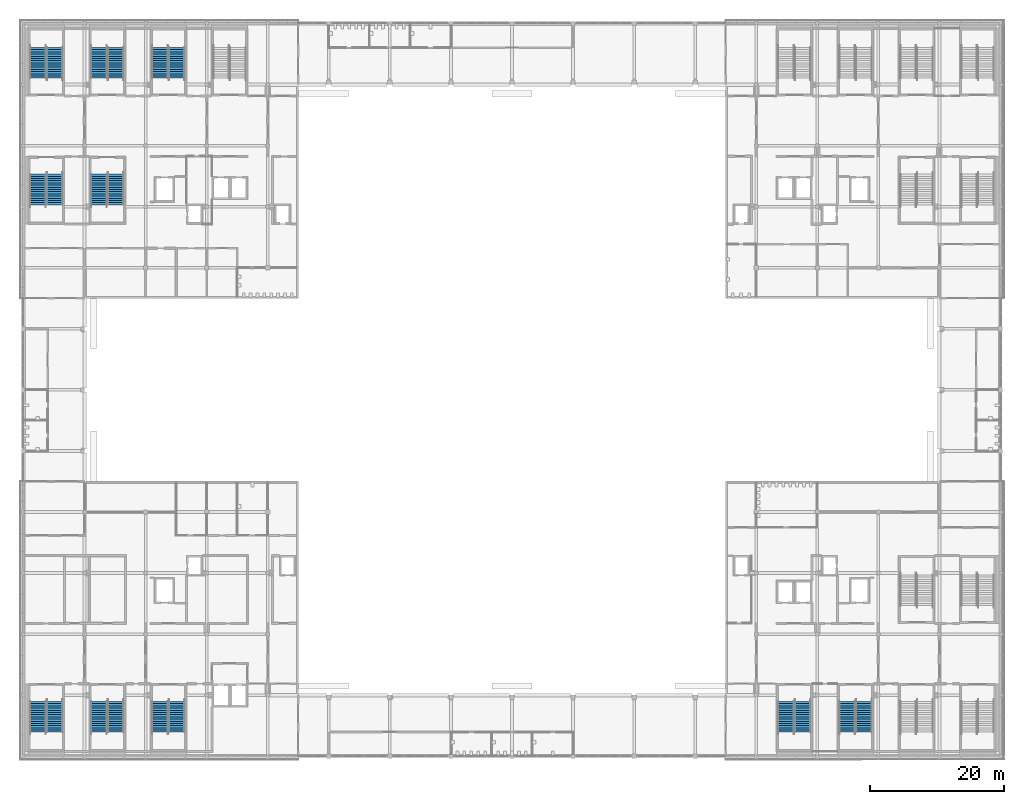
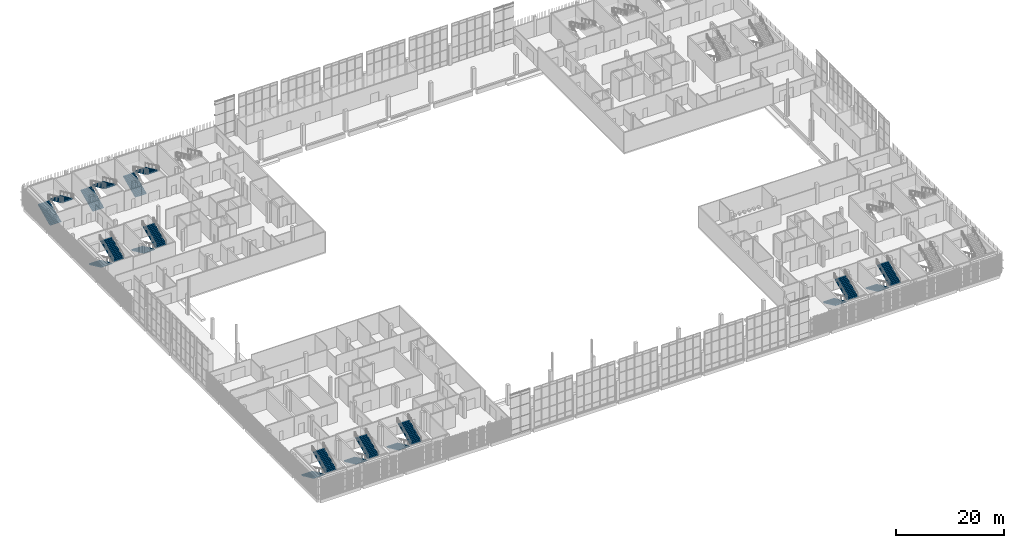
# One storey, part 57 of 91: 20 stair flights, 10 elements without a shape of their own.
"""IFC4 building model written with IfcOpenShell, lengths in metres."""

from ifc_helpers import new_model, si_unit, direction, frame, origin, place, context, subcontext, project, spatial, polyline, outline, extrude, material, type_object, element, aggregate, save


model = new_model("IFC4")

# Units and contexts
model_context = context("Model", 3, precision=1e-05, world=origin(), true_north=direction((0.0, 1.0)))
body_context = subcontext(model_context, "Body", "Model", "MODEL_VIEW")
ifc_project = project(units=[si_unit("LENGTHUNIT", "METRE"), si_unit("AREAUNIT", "SQUARE_METRE"), si_unit("VOLUMEUNIT", "CUBIC_METRE"), si_unit("PLANEANGLEUNIT", "RADIAN"), si_unit("MASSUNIT", "GRAM", prefix="KILO")], contexts=[model_context])

# Site, building, storey
site_placement = place(None, origin())
site = spatial("IfcSite", under=ifc_project, at=site_placement, CompositionType="ELEMENT")
building_placement = place(site_placement, origin())
building = spatial("IfcBuilding", under=site, at=building_placement, Name="Shirokan Park Arena", CompositionType="ELEMENT")
storey_placement = place(building_placement, frame((0.0, 0.0, 24.570068359375)))
storey = spatial("IfcBuildingStorey", under=building, at=storey_placement, Name="L05", CompositionType="ELEMENT", Elevation=24.570068359375)

# Stair, stair flights
ifc_material = material(Name="Concrete C30 precast", Category="concrete")
stair_type = type_object("IfcStairType", Name="Stair 30 risers 152 x 327 2400 wide", PredefinedType="TWO_STRAIGHT_RUN_STAIR", material=ifc_material)
stair_1_placement = place(storey_placement, origin())
stair_1 = element("IfcStair", 1, at=stair_1_placement, inside=storey, type_object=stair_type, Name="Exit Stair 1.A L05 to L06", PredefinedType="TWO_STRAIGHT_RUN_STAIR")
stair_flight_type = type_object("IfcStairFlightType", Name="Stair flight 15 risers 152 x 327 2400 wide", PredefinedType="STRAIGHT", material=ifc_material)
stair_flight_1_placement = place(storey_placement, frame((2.14990234375, 8.14990234375, 0.0), z_axis=(0.0, 0.0, 1.0), x_axis=(0.0, -1.0, 0.0)))
stair_flight_1 = element("IfcStairFlight", 2, at=stair_flight_1_placement, type_object=stair_flight_type, Name="ST01.6 flight 1", NumberOfRisers=15, NumberOfTreads=14, PredefinedType="STRAIGHT", RiserHeight=0.151666667, TreadLength=0.3267, context=body_context, shape_type="SweptSolid", body=[
    extrude(outline(polyline([(0.0, 0.0), (0.0, 0.151611328125), (0.32666015625, 0.151611328125), (0.32666015625, 0.30322265625), (0.6533203125, 0.30322265625), (0.6533203125, 0.455078125), (0.97998046875, 0.455078125), (0.97998046875, 0.606689453125), (1.306884765625, 0.606689453125), (1.306884765625, 0.75830078125), (1.633544921875, 0.75830078125), (1.633544921875, 0.909912109375), (1.960205078125, 0.909912109375), (1.960205078125, 1.061767578125), (2.286865234375, 1.061767578125), (2.286865234375, 1.21337890625), (2.613525390625, 1.21337890625), (2.613525390625, 1.364990234375), (2.940185546875, 1.364990234375), (2.940185546875, 1.5166015625), (3.26708984375, 1.5166015625), (3.26708984375, 1.668212890625), (3.59375, 1.668212890625), (3.59375, 1.820068359375), (3.92041015625, 1.820068359375), (3.92041015625, 1.9716796875), (4.2470703125, 1.9716796875), (4.2470703125, 2.123291015625), (4.57373046875, 2.123291015625), (4.57373046875, 2.27490234375), (4.57373046875, 1.9580078125), (0.35595703125, 0.0), (0.0, 0.0)])), frame((0.0, 1.199951171875, 0.0), z_axis=(0.0, -1.0, 0.0), x_axis=(1.0, 0.0, 0.0)), (0.0, 0.0, 1.0), 2.39990234375),
])
stair_flight_2_placement = place(storey_placement, frame((4.64990234375, 3.576171875, 2.27490234375), z_axis=(0.0, 0.0, 1.0), x_axis=(0.0, 1.0, 0.0)))
stair_flight_2 = element("IfcStairFlight", 3, at=stair_flight_2_placement, type_object=stair_flight_type, Name="ST01.6 flight 2", NumberOfRisers=15, NumberOfTreads=14, PredefinedType="STRAIGHT", RiserHeight=0.151666667, TreadLength=0.3267, context=body_context, shape_type="SweptSolid", body=[
    extrude(outline(polyline([(0.0, 0.0), (0.0, 0.151611328125), (0.32666015625, 0.151611328125), (0.32666015625, 0.30322265625), (0.6533203125, 0.30322265625), (0.6533203125, 0.455078125), (0.97998046875, 0.455078125), (0.97998046875, 0.606689453125), (1.306884765625, 0.606689453125), (1.306884765625, 0.75830078125), (1.633544921875, 0.75830078125), (1.633544921875, 0.909912109375), (1.960205078125, 0.909912109375), (1.960205078125, 1.061767578125), (2.286865234375, 1.061767578125), (2.286865234375, 1.21337890625), (2.613525390625, 1.21337890625), (2.613525390625, 1.364990234375), (2.940185546875, 1.364990234375), (2.940185546875, 1.5166015625), (3.26708984375, 1.5166015625), (3.26708984375, 1.668212890625), (3.59375, 1.668212890625), (3.59375, 1.820068359375), (3.92041015625, 1.820068359375), (3.92041015625, 1.9716796875), (4.2470703125, 1.9716796875), (4.2470703125, 2.123291015625), (4.57373046875, 2.123291015625), (4.57373046875, 2.27490234375), (4.57373046875, 1.9580078125), (0.35595703125, 0.0), (0.0, 0.0)])), frame((0.0, 1.199951171875, 0.0), z_axis=(0.0, -1.0, 0.0), x_axis=(1.0, 0.0, 0.0)), (0.0, 0.0, 1.0), 2.39990234375),
])
aggregate(stair_1, [stair_flight_1, stair_flight_2])

stair_2_placement = place(storey_placement, origin())
stair_2 = element("IfcStair", 4, at=stair_2_placement, inside=storey, type_object=stair_type, Name="Exit Stair 1.B L05 to L06", PredefinedType="TWO_STRAIGHT_RUN_STAIR")
stair_flight_3_placement = place(storey_placement, frame((11.25, 8.14990234375, 0.0), z_axis=(0.0, 0.0, 1.0), x_axis=(0.0, -1.0, 0.0)))
stair_flight_3 = element("IfcStairFlight", 5, at=stair_flight_3_placement, type_object=stair_flight_type, Name="ST02.6 flight 1", NumberOfRisers=15, NumberOfTreads=14, PredefinedType="STRAIGHT", RiserHeight=0.151666667, TreadLength=0.3267, context=body_context, shape_type="SweptSolid", body=[
    extrude(outline(polyline([(0.0, 0.0), (0.0, 0.151611328125), (0.32666015625, 0.151611328125), (0.32666015625, 0.30322265625), (0.6533203125, 0.30322265625), (0.6533203125, 0.455078125), (0.97998046875, 0.455078125), (0.97998046875, 0.606689453125), (1.306884765625, 0.606689453125), (1.306884765625, 0.75830078125), (1.633544921875, 0.75830078125), (1.633544921875, 0.909912109375), (1.960205078125, 0.909912109375), (1.960205078125, 1.061767578125), (2.286865234375, 1.061767578125), (2.286865234375, 1.21337890625), (2.613525390625, 1.21337890625), (2.613525390625, 1.364990234375), (2.940185546875, 1.364990234375), (2.940185546875, 1.5166015625), (3.26708984375, 1.5166015625), (3.26708984375, 1.668212890625), (3.59375, 1.668212890625), (3.59375, 1.820068359375), (3.92041015625, 1.820068359375), (3.92041015625, 1.9716796875), (4.2470703125, 1.9716796875), (4.2470703125, 2.123291015625), (4.57373046875, 2.123291015625), (4.57373046875, 2.27490234375), (4.57373046875, 1.9580078125), (0.35595703125, 0.0), (0.0, 0.0)])), frame((0.0, 1.199951171875, 0.0), z_axis=(0.0, -1.0, 0.0), x_axis=(1.0, 0.0, 0.0)), (0.0, 0.0, 1.0), 2.39990234375),
])
stair_flight_4_placement = place(storey_placement, frame((13.75, 3.576171875, 2.27490234375), z_axis=(0.0, 0.0, 1.0), x_axis=(0.0, 1.0, 0.0)))
stair_flight_4 = element("IfcStairFlight", 6, at=stair_flight_4_placement, type_object=stair_flight_type, Name="ST02.6 flight 2", NumberOfRisers=15, NumberOfTreads=14, PredefinedType="STRAIGHT", RiserHeight=0.151666667, TreadLength=0.3267, context=body_context, shape_type="SweptSolid", body=[
    extrude(outline(polyline([(0.0, 0.0), (0.0, 0.151611328125), (0.32666015625, 0.151611328125), (0.32666015625, 0.30322265625), (0.6533203125, 0.30322265625), (0.6533203125, 0.455078125), (0.97998046875, 0.455078125), (0.97998046875, 0.606689453125), (1.306884765625, 0.606689453125), (1.306884765625, 0.75830078125), (1.633544921875, 0.75830078125), (1.633544921875, 0.909912109375), (1.960205078125, 0.909912109375), (1.960205078125, 1.061767578125), (2.286865234375, 1.061767578125), (2.286865234375, 1.21337890625), (2.613525390625, 1.21337890625), (2.613525390625, 1.364990234375), (2.940185546875, 1.364990234375), (2.940185546875, 1.5166015625), (3.26708984375, 1.5166015625), (3.26708984375, 1.668212890625), (3.59375, 1.668212890625), (3.59375, 1.820068359375), (3.92041015625, 1.820068359375), (3.92041015625, 1.9716796875), (4.2470703125, 1.9716796875), (4.2470703125, 2.123291015625), (4.57373046875, 2.123291015625), (4.57373046875, 2.27490234375), (4.57373046875, 1.9580078125), (0.35595703125, 0.0), (0.0, 0.0)])), frame((0.0, 1.199951171875, 0.0), z_axis=(0.0, -1.0, 0.0), x_axis=(1.0, 0.0, 0.0)), (0.0, 0.0, 1.0), 2.39990234375),
])
aggregate(stair_2, [stair_flight_3, stair_flight_4])

stair_3_placement = place(storey_placement, origin())
stair_3 = element("IfcStair", 7, at=stair_3_placement, inside=storey, type_object=stair_type, Name="Exit Stair 1.C L05 to L06", PredefinedType="TWO_STRAIGHT_RUN_STAIR")
stair_flight_5_placement = place(storey_placement, frame((20.35009765625, 8.14990234375, 0.0), z_axis=(0.0, 0.0, 1.0), x_axis=(0.0, -1.0, 0.0)))
stair_flight_5 = element("IfcStairFlight", 8, at=stair_flight_5_placement, type_object=stair_flight_type, Name="ST03.6 flight 1", NumberOfRisers=15, NumberOfTreads=14, PredefinedType="STRAIGHT", RiserHeight=0.151666667, TreadLength=0.3267, context=body_context, shape_type="SweptSolid", body=[
    extrude(outline(polyline([(0.0, 0.0), (0.0, 0.151611328125), (0.32666015625, 0.151611328125), (0.32666015625, 0.30322265625), (0.6533203125, 0.30322265625), (0.6533203125, 0.455078125), (0.97998046875, 0.455078125), (0.97998046875, 0.606689453125), (1.306884765625, 0.606689453125), (1.306884765625, 0.75830078125), (1.633544921875, 0.75830078125), (1.633544921875, 0.909912109375), (1.960205078125, 0.909912109375), (1.960205078125, 1.061767578125), (2.286865234375, 1.061767578125), (2.286865234375, 1.21337890625), (2.613525390625, 1.21337890625), (2.613525390625, 1.364990234375), (2.940185546875, 1.364990234375), (2.940185546875, 1.5166015625), (3.26708984375, 1.5166015625), (3.26708984375, 1.668212890625), (3.59375, 1.668212890625), (3.59375, 1.820068359375), (3.92041015625, 1.820068359375), (3.92041015625, 1.9716796875), (4.2470703125, 1.9716796875), (4.2470703125, 2.123291015625), (4.57373046875, 2.123291015625), (4.57373046875, 2.27490234375), (4.57373046875, 1.9580078125), (0.35595703125, 0.0), (0.0, 0.0)])), frame((0.0, 1.199951171875, 0.0), z_axis=(0.0, -1.0, 0.0), x_axis=(1.0, 0.0, 0.0)), (0.0, 0.0, 1.0), 2.39990234375),
])
stair_flight_6_placement = place(storey_placement, frame((22.85009765625, 3.576171875, 2.27490234375), z_axis=(0.0, 0.0, 1.0), x_axis=(0.0, 1.0, 0.0)))
stair_flight_6 = element("IfcStairFlight", 9, at=stair_flight_6_placement, type_object=stair_flight_type, Name="ST03.6 flight 2", NumberOfRisers=15, NumberOfTreads=14, PredefinedType="STRAIGHT", RiserHeight=0.151666667, TreadLength=0.3267, context=body_context, shape_type="SweptSolid", body=[
    extrude(outline(polyline([(0.0, 0.0), (0.0, 0.151611328125), (0.32666015625, 0.151611328125), (0.32666015625, 0.30322265625), (0.6533203125, 0.30322265625), (0.6533203125, 0.455078125), (0.97998046875, 0.455078125), (0.97998046875, 0.606689453125), (1.306884765625, 0.606689453125), (1.306884765625, 0.75830078125), (1.633544921875, 0.75830078125), (1.633544921875, 0.909912109375), (1.960205078125, 0.909912109375), (1.960205078125, 1.061767578125), (2.286865234375, 1.061767578125), (2.286865234375, 1.21337890625), (2.613525390625, 1.21337890625), (2.613525390625, 1.364990234375), (2.940185546875, 1.364990234375), (2.940185546875, 1.5166015625), (3.26708984375, 1.5166015625), (3.26708984375, 1.668212890625), (3.59375, 1.668212890625), (3.59375, 1.820068359375), (3.92041015625, 1.820068359375), (3.92041015625, 1.9716796875), (4.2470703125, 1.9716796875), (4.2470703125, 2.123291015625), (4.57373046875, 2.123291015625), (4.57373046875, 2.27490234375), (4.57373046875, 1.9580078125), (0.35595703125, 0.0), (0.0, 0.0)])), frame((0.0, 1.199951171875, 0.0), z_axis=(0.0, -1.0, 0.0), x_axis=(1.0, 0.0, 0.0)), (0.0, 0.0, 1.0), 2.39990234375),
])
aggregate(stair_3, [stair_flight_5, stair_flight_6])

stair_4_placement = place(storey_placement, origin())
stair_4 = element("IfcStair", 10, at=stair_4_placement, inside=storey, type_object=stair_type, Name="Exit Stair 2.C L05 to L06", PredefinedType="TWO_STRAIGHT_RUN_STAIR")
stair_flight_7_placement = place(storey_placement, frame((122.75, 8.14990234375, 0.0), z_axis=(0.0, 0.0, 1.0), x_axis=(0.0, -1.0, 0.0)))
stair_flight_7 = element("IfcStairFlight", 11, at=stair_flight_7_placement, type_object=stair_flight_type, Name="ST06.6 flight 1", NumberOfRisers=15, NumberOfTreads=14, PredefinedType="STRAIGHT", RiserHeight=0.151666667, TreadLength=0.3267, context=body_context, shape_type="SweptSolid", body=[
    extrude(outline(polyline([(0.0, 0.0), (0.0, 0.151611328125), (0.32666015625, 0.151611328125), (0.32666015625, 0.30322265625), (0.6533203125, 0.30322265625), (0.6533203125, 0.455078125), (0.97998046875, 0.455078125), (0.97998046875, 0.606689453125), (1.306884765625, 0.606689453125), (1.306884765625, 0.75830078125), (1.633544921875, 0.75830078125), (1.633544921875, 0.909912109375), (1.960205078125, 0.909912109375), (1.960205078125, 1.061767578125), (2.286865234375, 1.061767578125), (2.286865234375, 1.21337890625), (2.613525390625, 1.21337890625), (2.613525390625, 1.364990234375), (2.940185546875, 1.364990234375), (2.940185546875, 1.5166015625), (3.26708984375, 1.5166015625), (3.26708984375, 1.668212890625), (3.59375, 1.668212890625), (3.59375, 1.820068359375), (3.92041015625, 1.820068359375), (3.92041015625, 1.9716796875), (4.2470703125, 1.9716796875), (4.2470703125, 2.123291015625), (4.57373046875, 2.123291015625), (4.57373046875, 2.27490234375), (4.57373046875, 1.9580078125), (0.35595703125, 0.0), (0.0, 0.0)])), frame((0.0, 1.199951171875, 0.0), z_axis=(0.0, -1.0, 0.0), x_axis=(1.0, 0.0, 0.0)), (0.0, 0.0, 1.0), 2.39990234375),
])
stair_flight_8_placement = place(storey_placement, frame((125.25, 3.576171875, 2.27490234375), z_axis=(0.0, 0.0, 1.0), x_axis=(0.0, 1.0, 0.0)))
stair_flight_8 = element("IfcStairFlight", 12, at=stair_flight_8_placement, type_object=stair_flight_type, Name="ST06.6 flight 2", NumberOfRisers=15, NumberOfTreads=14, PredefinedType="STRAIGHT", RiserHeight=0.151666667, TreadLength=0.3267, context=body_context, shape_type="SweptSolid", body=[
    extrude(outline(polyline([(0.0, 0.0), (0.0, 0.151611328125), (0.32666015625, 0.151611328125), (0.32666015625, 0.30322265625), (0.6533203125, 0.30322265625), (0.6533203125, 0.455078125), (0.97998046875, 0.455078125), (0.97998046875, 0.606689453125), (1.306884765625, 0.606689453125), (1.306884765625, 0.75830078125), (1.633544921875, 0.75830078125), (1.633544921875, 0.909912109375), (1.960205078125, 0.909912109375), (1.960205078125, 1.061767578125), (2.286865234375, 1.061767578125), (2.286865234375, 1.21337890625), (2.613525390625, 1.21337890625), (2.613525390625, 1.364990234375), (2.940185546875, 1.364990234375), (2.940185546875, 1.5166015625), (3.26708984375, 1.5166015625), (3.26708984375, 1.668212890625), (3.59375, 1.668212890625), (3.59375, 1.820068359375), (3.92041015625, 1.820068359375), (3.92041015625, 1.9716796875), (4.2470703125, 1.9716796875), (4.2470703125, 2.123291015625), (4.57373046875, 2.123291015625), (4.57373046875, 2.27490234375), (4.57373046875, 1.9580078125), (0.35595703125, 0.0), (0.0, 0.0)])), frame((0.0, 1.199951171875, 0.0), z_axis=(0.0, -1.0, 0.0), x_axis=(1.0, 0.0, 0.0)), (0.0, 0.0, 1.0), 2.39990234375),
])
aggregate(stair_4, [stair_flight_7, stair_flight_8])

stair_5_placement = place(storey_placement, origin())
stair_5 = element("IfcStair", 13, at=stair_5_placement, inside=storey, type_object=stair_type, Name="Exit Stair 2.D L05 to L06", PredefinedType="TWO_STRAIGHT_RUN_STAIR")
stair_flight_9_placement = place(storey_placement, frame((113.64990234375, 8.14990234375, 0.0), z_axis=(0.0, 0.0, 1.0), x_axis=(0.0, -1.0, 0.0)))
stair_flight_9 = element("IfcStairFlight", 14, at=stair_flight_9_placement, type_object=stair_flight_type, Name="ST07.6 flight 1", NumberOfRisers=15, NumberOfTreads=14, PredefinedType="STRAIGHT", RiserHeight=0.151666667, TreadLength=0.3267, context=body_context, shape_type="SweptSolid", body=[
    extrude(outline(polyline([(0.0, 0.0), (0.0, 0.151611328125), (0.32666015625, 0.151611328125), (0.32666015625, 0.30322265625), (0.6533203125, 0.30322265625), (0.6533203125, 0.455078125), (0.97998046875, 0.455078125), (0.97998046875, 0.606689453125), (1.306884765625, 0.606689453125), (1.306884765625, 0.75830078125), (1.633544921875, 0.75830078125), (1.633544921875, 0.909912109375), (1.960205078125, 0.909912109375), (1.960205078125, 1.061767578125), (2.286865234375, 1.061767578125), (2.286865234375, 1.21337890625), (2.613525390625, 1.21337890625), (2.613525390625, 1.364990234375), (2.940185546875, 1.364990234375), (2.940185546875, 1.5166015625), (3.26708984375, 1.5166015625), (3.26708984375, 1.668212890625), (3.59375, 1.668212890625), (3.59375, 1.820068359375), (3.92041015625, 1.820068359375), (3.92041015625, 1.9716796875), (4.2470703125, 1.9716796875), (4.2470703125, 2.123291015625), (4.57373046875, 2.123291015625), (4.57373046875, 2.27490234375), (4.57373046875, 1.9580078125), (0.35595703125, 0.0), (0.0, 0.0)])), frame((0.0, 1.199951171875, 0.0), z_axis=(0.0, -1.0, 0.0), x_axis=(1.0, 0.0, 0.0)), (0.0, 0.0, 1.0), 2.39990234375),
])
stair_flight_10_placement = place(storey_placement, frame((116.14990234375, 3.576171875, 2.27490234375), z_axis=(0.0, 0.0, 1.0), x_axis=(0.0, 1.0, 0.0)))
stair_flight_10 = element("IfcStairFlight", 15, at=stair_flight_10_placement, type_object=stair_flight_type, Name="ST07.6 flight 2", NumberOfRisers=15, NumberOfTreads=14, PredefinedType="STRAIGHT", RiserHeight=0.151666667, TreadLength=0.3267, context=body_context, shape_type="SweptSolid", body=[
    extrude(outline(polyline([(0.0, 0.0), (0.0, 0.151611328125), (0.32666015625, 0.151611328125), (0.32666015625, 0.30322265625), (0.6533203125, 0.30322265625), (0.6533203125, 0.455078125), (0.97998046875, 0.455078125), (0.97998046875, 0.606689453125), (1.306884765625, 0.606689453125), (1.306884765625, 0.75830078125), (1.633544921875, 0.75830078125), (1.633544921875, 0.909912109375), (1.960205078125, 0.909912109375), (1.960205078125, 1.061767578125), (2.286865234375, 1.061767578125), (2.286865234375, 1.21337890625), (2.613525390625, 1.21337890625), (2.613525390625, 1.364990234375), (2.940185546875, 1.364990234375), (2.940185546875, 1.5166015625), (3.26708984375, 1.5166015625), (3.26708984375, 1.668212890625), (3.59375, 1.668212890625), (3.59375, 1.820068359375), (3.92041015625, 1.820068359375), (3.92041015625, 1.9716796875), (4.2470703125, 1.9716796875), (4.2470703125, 2.123291015625), (4.57373046875, 2.123291015625), (4.57373046875, 2.27490234375), (4.57373046875, 1.9580078125), (0.35595703125, 0.0), (0.0, 0.0)])), frame((0.0, 1.199951171875, 0.0), z_axis=(0.0, -1.0, 0.0), x_axis=(1.0, 0.0, 0.0)), (0.0, 0.0, 1.0), 2.39990234375),
])
aggregate(stair_5, [stair_flight_9, stair_flight_10])

stair_6_placement = place(storey_placement, origin())
stair_6 = element("IfcStair", 16, at=stair_6_placement, inside=storey, type_object=stair_type, Name="Exit Stair 4.A L05 to L06", PredefinedType="TWO_STRAIGHT_RUN_STAIR")
stair_flight_11_placement = place(storey_placement, frame((2.14990234375, 101.050048828125, 0.0), z_axis=(0.0, 0.0, 1.0), x_axis=(0.0, 1.0, 0.0)))
stair_flight_11 = element("IfcStairFlight", 17, at=stair_flight_11_placement, type_object=stair_flight_type, Name="ST10.6 flight 1", NumberOfRisers=15, NumberOfTreads=14, PredefinedType="STRAIGHT", RiserHeight=0.151666667, TreadLength=0.3267, context=body_context, shape_type="SweptSolid", body=[
    extrude(outline(polyline([(0.0, 0.0), (0.0, 0.151611328125), (0.32666015625, 0.151611328125), (0.32666015625, 0.30322265625), (0.6533203125, 0.30322265625), (0.6533203125, 0.455078125), (0.97998046875, 0.455078125), (0.97998046875, 0.606689453125), (1.306884765625, 0.606689453125), (1.306884765625, 0.75830078125), (1.633544921875, 0.75830078125), (1.633544921875, 0.909912109375), (1.960205078125, 0.909912109375), (1.960205078125, 1.061767578125), (2.286865234375, 1.061767578125), (2.286865234375, 1.21337890625), (2.613525390625, 1.21337890625), (2.613525390625, 1.364990234375), (2.940185546875, 1.364990234375), (2.940185546875, 1.5166015625), (3.26708984375, 1.5166015625), (3.26708984375, 1.668212890625), (3.59375, 1.668212890625), (3.59375, 1.820068359375), (3.92041015625, 1.820068359375), (3.92041015625, 1.9716796875), (4.2470703125, 1.9716796875), (4.2470703125, 2.123291015625), (4.57373046875, 2.123291015625), (4.57373046875, 2.27490234375), (4.57373046875, 1.9580078125), (0.35595703125, 0.0), (0.0, 0.0)])), frame((0.0, 1.199951171875, 0.0), z_axis=(0.0, -1.0, 0.0), x_axis=(1.0, 0.0, 0.0)), (0.0, 0.0, 1.0), 2.39990234375),
])
stair_flight_12_placement = place(storey_placement, frame((4.64990234375, 105.623779296875, 2.27490234375), z_axis=(0.0, 0.0, 1.0), x_axis=(0.0, -1.0, 0.0)))
stair_flight_12 = element("IfcStairFlight", 18, at=stair_flight_12_placement, type_object=stair_flight_type, Name="ST10.6 flight 2", NumberOfRisers=15, NumberOfTreads=14, PredefinedType="STRAIGHT", RiserHeight=0.151666667, TreadLength=0.3267, context=body_context, shape_type="SweptSolid", body=[
    extrude(outline(polyline([(0.0, 0.0), (0.0, 0.151611328125), (0.32666015625, 0.151611328125), (0.32666015625, 0.30322265625), (0.6533203125, 0.30322265625), (0.6533203125, 0.455078125), (0.97998046875, 0.455078125), (0.97998046875, 0.606689453125), (1.306884765625, 0.606689453125), (1.306884765625, 0.75830078125), (1.633544921875, 0.75830078125), (1.633544921875, 0.909912109375), (1.960205078125, 0.909912109375), (1.960205078125, 1.061767578125), (2.286865234375, 1.061767578125), (2.286865234375, 1.21337890625), (2.613525390625, 1.21337890625), (2.613525390625, 1.364990234375), (2.940185546875, 1.364990234375), (2.940185546875, 1.5166015625), (3.26708984375, 1.5166015625), (3.26708984375, 1.668212890625), (3.59375, 1.668212890625), (3.59375, 1.820068359375), (3.92041015625, 1.820068359375), (3.92041015625, 1.9716796875), (4.2470703125, 1.9716796875), (4.2470703125, 2.123291015625), (4.57373046875, 2.123291015625), (4.57373046875, 2.27490234375), (4.57373046875, 1.9580078125), (0.35595703125, 0.0), (0.0, 0.0)])), frame((0.0, 1.199951171875, 0.0), z_axis=(0.0, -1.0, 0.0), x_axis=(1.0, 0.0, 0.0)), (0.0, 0.0, 1.0), 2.39990234375),
])
aggregate(stair_6, [stair_flight_11, stair_flight_12])

stair_7_placement = place(storey_placement, origin())
stair_7 = element("IfcStair", 19, at=stair_7_placement, inside=storey, type_object=stair_type, Name="Exit Stair 4.B L05 to L06", PredefinedType="TWO_STRAIGHT_RUN_STAIR")
stair_flight_13_placement = place(storey_placement, frame((11.25, 101.050048828125, 0.0), z_axis=(0.0, 0.0, 1.0), x_axis=(0.0, 1.0, 0.0)))
stair_flight_13 = element("IfcStairFlight", 20, at=stair_flight_13_placement, type_object=stair_flight_type, Name="ST11.6 flight 1", NumberOfRisers=15, NumberOfTreads=14, PredefinedType="STRAIGHT", RiserHeight=0.151666667, TreadLength=0.3267, context=body_context, shape_type="SweptSolid", body=[
    extrude(outline(polyline([(0.0, 0.0), (0.0, 0.151611328125), (0.32666015625, 0.151611328125), (0.32666015625, 0.30322265625), (0.6533203125, 0.30322265625), (0.6533203125, 0.455078125), (0.97998046875, 0.455078125), (0.97998046875, 0.606689453125), (1.306884765625, 0.606689453125), (1.306884765625, 0.75830078125), (1.633544921875, 0.75830078125), (1.633544921875, 0.909912109375), (1.960205078125, 0.909912109375), (1.960205078125, 1.061767578125), (2.286865234375, 1.061767578125), (2.286865234375, 1.21337890625), (2.613525390625, 1.21337890625), (2.613525390625, 1.364990234375), (2.940185546875, 1.364990234375), (2.940185546875, 1.5166015625), (3.26708984375, 1.5166015625), (3.26708984375, 1.668212890625), (3.59375, 1.668212890625), (3.59375, 1.820068359375), (3.92041015625, 1.820068359375), (3.92041015625, 1.9716796875), (4.2470703125, 1.9716796875), (4.2470703125, 2.123291015625), (4.57373046875, 2.123291015625), (4.57373046875, 2.27490234375), (4.57373046875, 1.9580078125), (0.35595703125, 0.0), (0.0, 0.0)])), frame((0.0, 1.199951171875, 0.0), z_axis=(0.0, -1.0, 0.0), x_axis=(1.0, 0.0, 0.0)), (0.0, 0.0, 1.0), 2.39990234375),
])
stair_flight_14_placement = place(storey_placement, frame((13.75, 105.623779296875, 2.27490234375), z_axis=(0.0, 0.0, 1.0), x_axis=(0.0, -1.0, 0.0)))
stair_flight_14 = element("IfcStairFlight", 21, at=stair_flight_14_placement, type_object=stair_flight_type, Name="ST11.6 flight 2", NumberOfRisers=15, NumberOfTreads=14, PredefinedType="STRAIGHT", RiserHeight=0.151666667, TreadLength=0.3267, context=body_context, shape_type="SweptSolid", body=[
    extrude(outline(polyline([(0.0, 0.0), (0.0, 0.151611328125), (0.32666015625, 0.151611328125), (0.32666015625, 0.30322265625), (0.6533203125, 0.30322265625), (0.6533203125, 0.455078125), (0.97998046875, 0.455078125), (0.97998046875, 0.606689453125), (1.306884765625, 0.606689453125), (1.306884765625, 0.75830078125), (1.633544921875, 0.75830078125), (1.633544921875, 0.909912109375), (1.960205078125, 0.909912109375), (1.960205078125, 1.061767578125), (2.286865234375, 1.061767578125), (2.286865234375, 1.21337890625), (2.613525390625, 1.21337890625), (2.613525390625, 1.364990234375), (2.940185546875, 1.364990234375), (2.940185546875, 1.5166015625), (3.26708984375, 1.5166015625), (3.26708984375, 1.668212890625), (3.59375, 1.668212890625), (3.59375, 1.820068359375), (3.92041015625, 1.820068359375), (3.92041015625, 1.9716796875), (4.2470703125, 1.9716796875), (4.2470703125, 2.123291015625), (4.57373046875, 2.123291015625), (4.57373046875, 2.27490234375), (4.57373046875, 1.9580078125), (0.35595703125, 0.0), (0.0, 0.0)])), frame((0.0, 1.199951171875, 0.0), z_axis=(0.0, -1.0, 0.0), x_axis=(1.0, 0.0, 0.0)), (0.0, 0.0, 1.0), 2.39990234375),
])
aggregate(stair_7, [stair_flight_13, stair_flight_14])

stair_8_placement = place(storey_placement, origin())
stair_8 = element("IfcStair", 22, at=stair_8_placement, inside=storey, type_object=stair_type, Name="Exit Stair 4.C L05 to L06", PredefinedType="TWO_STRAIGHT_RUN_STAIR")
stair_flight_15_placement = place(storey_placement, frame((20.35009765625, 101.050048828125, 0.0), z_axis=(0.0, 0.0, 1.0), x_axis=(0.0, 1.0, 0.0)))
stair_flight_15 = element("IfcStairFlight", 23, at=stair_flight_15_placement, type_object=stair_flight_type, Name="ST12.6 flight 1", NumberOfRisers=15, NumberOfTreads=14, PredefinedType="STRAIGHT", RiserHeight=0.151666667, TreadLength=0.3267, context=body_context, shape_type="SweptSolid", body=[
    extrude(outline(polyline([(0.0, 0.0), (0.0, 0.151611328125), (0.32666015625, 0.151611328125), (0.32666015625, 0.30322265625), (0.6533203125, 0.30322265625), (0.6533203125, 0.455078125), (0.97998046875, 0.455078125), (0.97998046875, 0.606689453125), (1.306884765625, 0.606689453125), (1.306884765625, 0.75830078125), (1.633544921875, 0.75830078125), (1.633544921875, 0.909912109375), (1.960205078125, 0.909912109375), (1.960205078125, 1.061767578125), (2.286865234375, 1.061767578125), (2.286865234375, 1.21337890625), (2.613525390625, 1.21337890625), (2.613525390625, 1.364990234375), (2.940185546875, 1.364990234375), (2.940185546875, 1.5166015625), (3.26708984375, 1.5166015625), (3.26708984375, 1.668212890625), (3.59375, 1.668212890625), (3.59375, 1.820068359375), (3.92041015625, 1.820068359375), (3.92041015625, 1.9716796875), (4.2470703125, 1.9716796875), (4.2470703125, 2.123291015625), (4.57373046875, 2.123291015625), (4.57373046875, 2.27490234375), (4.57373046875, 1.9580078125), (0.35595703125, 0.0), (0.0, 0.0)])), frame((0.0, 1.199951171875, 0.0), z_axis=(0.0, -1.0, 0.0), x_axis=(1.0, 0.0, 0.0)), (0.0, 0.0, 1.0), 2.39990234375),
])
stair_flight_16_placement = place(storey_placement, frame((22.85009765625, 105.623779296875, 2.27490234375), z_axis=(0.0, 0.0, 1.0), x_axis=(0.0, -1.0, 0.0)))
stair_flight_16 = element("IfcStairFlight", 24, at=stair_flight_16_placement, type_object=stair_flight_type, Name="ST12.6 flight 2", NumberOfRisers=15, NumberOfTreads=14, PredefinedType="STRAIGHT", RiserHeight=0.151666667, TreadLength=0.3267, context=body_context, shape_type="SweptSolid", body=[
    extrude(outline(polyline([(0.0, 0.0), (0.0, 0.151611328125), (0.32666015625, 0.151611328125), (0.32666015625, 0.30322265625), (0.6533203125, 0.30322265625), (0.6533203125, 0.455078125), (0.97998046875, 0.455078125), (0.97998046875, 0.606689453125), (1.306884765625, 0.606689453125), (1.306884765625, 0.75830078125), (1.633544921875, 0.75830078125), (1.633544921875, 0.909912109375), (1.960205078125, 0.909912109375), (1.960205078125, 1.061767578125), (2.286865234375, 1.061767578125), (2.286865234375, 1.21337890625), (2.613525390625, 1.21337890625), (2.613525390625, 1.364990234375), (2.940185546875, 1.364990234375), (2.940185546875, 1.5166015625), (3.26708984375, 1.5166015625), (3.26708984375, 1.668212890625), (3.59375, 1.668212890625), (3.59375, 1.820068359375), (3.92041015625, 1.820068359375), (3.92041015625, 1.9716796875), (4.2470703125, 1.9716796875), (4.2470703125, 2.123291015625), (4.57373046875, 2.123291015625), (4.57373046875, 2.27490234375), (4.57373046875, 1.9580078125), (0.35595703125, 0.0), (0.0, 0.0)])), frame((0.0, 1.199951171875, 0.0), z_axis=(0.0, -1.0, 0.0), x_axis=(1.0, 0.0, 0.0)), (0.0, 0.0, 1.0), 2.39990234375),
])
aggregate(stair_8, [stair_flight_15, stair_flight_16])

stair_9_placement = place(storey_placement, origin())
stair_9 = element("IfcStair", 25, at=stair_9_placement, inside=storey, type_object=stair_type, Name="Exit Stair 4.E L05 to L06", PredefinedType="TWO_STRAIGHT_RUN_STAIR")
stair_flight_17_placement = place(storey_placement, frame((2.14990234375, 86.75, 0.0), z_axis=(0.0, 0.0, 1.0), x_axis=(0.0, -1.0, 0.0)))
stair_flight_17 = element("IfcStairFlight", 26, at=stair_flight_17_placement, type_object=stair_flight_type, Name="ST14.6 flight 1", NumberOfRisers=15, NumberOfTreads=14, PredefinedType="STRAIGHT", RiserHeight=0.151666667, TreadLength=0.3267, context=body_context, shape_type="SweptSolid", body=[
    extrude(outline(polyline([(0.0, 0.0), (0.0, 0.151611328125), (0.32666015625, 0.151611328125), (0.32666015625, 0.30322265625), (0.6533203125, 0.30322265625), (0.6533203125, 0.455078125), (0.97998046875, 0.455078125), (0.97998046875, 0.606689453125), (1.306884765625, 0.606689453125), (1.306884765625, 0.75830078125), (1.633544921875, 0.75830078125), (1.633544921875, 0.909912109375), (1.960205078125, 0.909912109375), (1.960205078125, 1.061767578125), (2.286865234375, 1.061767578125), (2.286865234375, 1.21337890625), (2.613525390625, 1.21337890625), (2.613525390625, 1.364990234375), (2.940185546875, 1.364990234375), (2.940185546875, 1.5166015625), (3.26708984375, 1.5166015625), (3.26708984375, 1.668212890625), (3.59375, 1.668212890625), (3.59375, 1.820068359375), (3.92041015625, 1.820068359375), (3.92041015625, 1.9716796875), (4.2470703125, 1.9716796875), (4.2470703125, 2.123291015625), (4.57373046875, 2.123291015625), (4.57373046875, 2.27490234375), (4.57373046875, 1.9580078125), (0.35595703125, 0.0), (0.0, 0.0)])), frame((0.0, 1.199951171875, 0.0), z_axis=(0.0, -1.0, 0.0), x_axis=(1.0, 0.0, 0.0)), (0.0, 0.0, 1.0), 2.39990234375),
])
stair_flight_18_placement = place(storey_placement, frame((4.64990234375, 82.17626953125, 2.27490234375), z_axis=(0.0, 0.0, 1.0), x_axis=(0.0, 1.0, 0.0)))
stair_flight_18 = element("IfcStairFlight", 27, at=stair_flight_18_placement, type_object=stair_flight_type, Name="ST14.6 flight 2", NumberOfRisers=15, NumberOfTreads=14, PredefinedType="STRAIGHT", RiserHeight=0.151666667, TreadLength=0.3267, context=body_context, shape_type="SweptSolid", body=[
    extrude(outline(polyline([(0.0, 0.0), (0.0, 0.151611328125), (0.32666015625, 0.151611328125), (0.32666015625, 0.30322265625), (0.6533203125, 0.30322265625), (0.6533203125, 0.455078125), (0.97998046875, 0.455078125), (0.97998046875, 0.606689453125), (1.306884765625, 0.606689453125), (1.306884765625, 0.75830078125), (1.633544921875, 0.75830078125), (1.633544921875, 0.909912109375), (1.960205078125, 0.909912109375), (1.960205078125, 1.061767578125), (2.286865234375, 1.061767578125), (2.286865234375, 1.21337890625), (2.613525390625, 1.21337890625), (2.613525390625, 1.364990234375), (2.940185546875, 1.364990234375), (2.940185546875, 1.5166015625), (3.26708984375, 1.5166015625), (3.26708984375, 1.668212890625), (3.59375, 1.668212890625), (3.59375, 1.820068359375), (3.92041015625, 1.820068359375), (3.92041015625, 1.9716796875), (4.2470703125, 1.9716796875), (4.2470703125, 2.123291015625), (4.57373046875, 2.123291015625), (4.57373046875, 2.27490234375), (4.57373046875, 1.9580078125), (0.35595703125, 0.0), (0.0, 0.0)])), frame((0.0, 1.199951171875, 0.0), z_axis=(0.0, -1.0, 0.0), x_axis=(1.0, 0.0, 0.0)), (0.0, 0.0, 1.0), 2.39990234375),
])
aggregate(stair_9, [stair_flight_17, stair_flight_18])

stair_10_placement = place(storey_placement, origin())
stair_10 = element("IfcStair", 28, at=stair_10_placement, inside=storey, type_object=stair_type, Name="Exit Stair 4.F L05 to L06", PredefinedType="TWO_STRAIGHT_RUN_STAIR")
stair_flight_19_placement = place(storey_placement, frame((11.25, 86.75, 0.0), z_axis=(0.0, 0.0, 1.0), x_axis=(0.0, -1.0, 0.0)))
stair_flight_19 = element("IfcStairFlight", 29, at=stair_flight_19_placement, type_object=stair_flight_type, Name="ST15.6 flight 1", NumberOfRisers=15, NumberOfTreads=14, PredefinedType="STRAIGHT", RiserHeight=0.151666667, TreadLength=0.3267, context=body_context, shape_type="SweptSolid", body=[
    extrude(outline(polyline([(0.0, 0.0), (0.0, 0.151611328125), (0.32666015625, 0.151611328125), (0.32666015625, 0.30322265625), (0.6533203125, 0.30322265625), (0.6533203125, 0.455078125), (0.97998046875, 0.455078125), (0.97998046875, 0.606689453125), (1.306884765625, 0.606689453125), (1.306884765625, 0.75830078125), (1.633544921875, 0.75830078125), (1.633544921875, 0.909912109375), (1.960205078125, 0.909912109375), (1.960205078125, 1.061767578125), (2.286865234375, 1.061767578125), (2.286865234375, 1.21337890625), (2.613525390625, 1.21337890625), (2.613525390625, 1.364990234375), (2.940185546875, 1.364990234375), (2.940185546875, 1.5166015625), (3.26708984375, 1.5166015625), (3.26708984375, 1.668212890625), (3.59375, 1.668212890625), (3.59375, 1.820068359375), (3.92041015625, 1.820068359375), (3.92041015625, 1.9716796875), (4.2470703125, 1.9716796875), (4.2470703125, 2.123291015625), (4.57373046875, 2.123291015625), (4.57373046875, 2.27490234375), (4.57373046875, 1.9580078125), (0.35595703125, 0.0), (0.0, 0.0)])), frame((0.0, 1.199951171875, 0.0), z_axis=(0.0, -1.0, 0.0), x_axis=(1.0, 0.0, 0.0)), (0.0, 0.0, 1.0), 2.39990234375),
])
stair_flight_20_placement = place(storey_placement, frame((13.75, 82.17626953125, 2.27490234375), z_axis=(0.0, 0.0, 1.0), x_axis=(0.0, 1.0, 0.0)))
stair_flight_20 = element("IfcStairFlight", 30, at=stair_flight_20_placement, type_object=stair_flight_type, Name="ST15.6 flight 2", NumberOfRisers=15, NumberOfTreads=14, PredefinedType="STRAIGHT", RiserHeight=0.151666667, TreadLength=0.3267, context=body_context, shape_type="SweptSolid", body=[
    extrude(outline(polyline([(0.0, 0.0), (0.0, 0.151611328125), (0.32666015625, 0.151611328125), (0.32666015625, 0.30322265625), (0.6533203125, 0.30322265625), (0.6533203125, 0.455078125), (0.97998046875, 0.455078125), (0.97998046875, 0.606689453125), (1.306884765625, 0.606689453125), (1.306884765625, 0.75830078125), (1.633544921875, 0.75830078125), (1.633544921875, 0.909912109375), (1.960205078125, 0.909912109375), (1.960205078125, 1.061767578125), (2.286865234375, 1.061767578125), (2.286865234375, 1.21337890625), (2.613525390625, 1.21337890625), (2.613525390625, 1.364990234375), (2.940185546875, 1.364990234375), (2.940185546875, 1.5166015625), (3.26708984375, 1.5166015625), (3.26708984375, 1.668212890625), (3.59375, 1.668212890625), (3.59375, 1.820068359375), (3.92041015625, 1.820068359375), (3.92041015625, 1.9716796875), (4.2470703125, 1.9716796875), (4.2470703125, 2.123291015625), (4.57373046875, 2.123291015625), (4.57373046875, 2.27490234375), (4.57373046875, 1.9580078125), (0.35595703125, 0.0), (0.0, 0.0)])), frame((0.0, 1.199951171875, 0.0), z_axis=(0.0, -1.0, 0.0), x_axis=(1.0, 0.0, 0.0)), (0.0, 0.0, 1.0), 2.39990234375),
])
aggregate(stair_10, [stair_flight_19, stair_flight_20])

save(model, "model.ifc")
